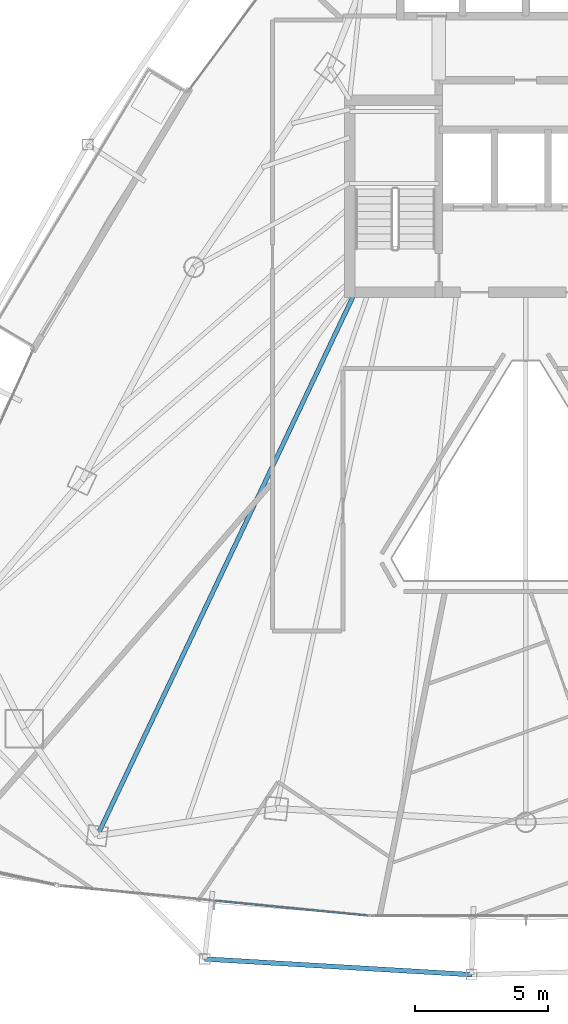
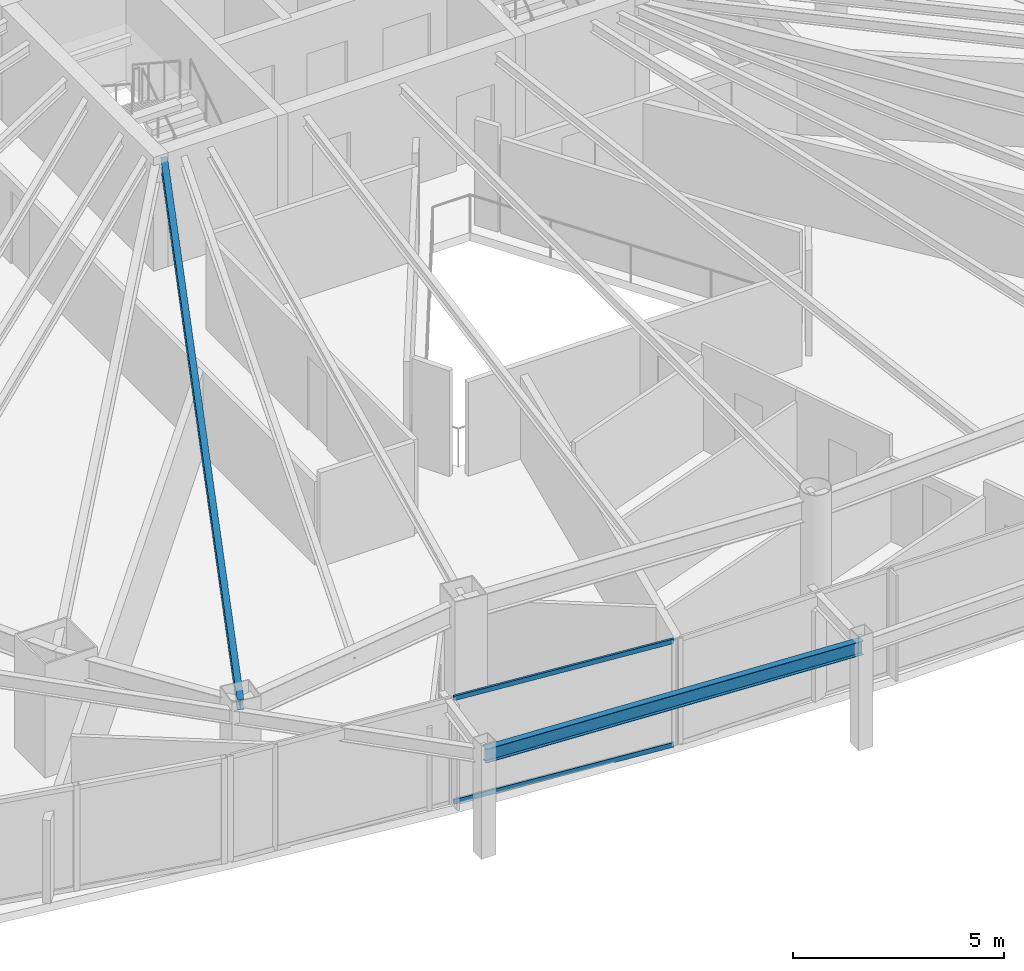
# One storey, part 6 of 30: 2 beams, 2 members, 1 element without a shape of its own.
"""IFC4 building model written with IfcOpenShell, lengths in metres."""

from ifc_helpers import new_model, si_unit, direction, frame, origin, origin_2d, place, context, subcontext, project, spatial, hollow_rectangle, i_section, extrude, material, layer, layer_set, material_profile, profile_set, type_object, element, aggregate, save


model = new_model("IFC4")

# Units and contexts
model_context = context("Model", 3, precision=1e-05, world=origin(), true_north=direction((0.0, 1.0)))
body_context = subcontext(model_context, "Body", "Model", "MODEL_VIEW")
ifc_project = project(units=[si_unit("LENGTHUNIT", "METRE"), si_unit("AREAUNIT", "SQUARE_METRE"), si_unit("VOLUMEUNIT", "CUBIC_METRE"), si_unit("PLANEANGLEUNIT", "RADIAN"), si_unit("MASSUNIT", "GRAM", prefix="KILO")], contexts=[model_context])

# Site, building, storey
site_placement = place(None, origin())
site = spatial("IfcSite", under=ifc_project, at=site_placement, CompositionType="ELEMENT")
building_placement = place(site_placement, origin())
building = spatial("IfcBuilding", under=site, at=building_placement, Name="Orvanel Arch Residences", CompositionType="ELEMENT")
storey_placement = place(building_placement, frame((0.0, 0.0, 139.699951171875)))
storey = spatial("IfcBuildingStorey", under=building, at=storey_placement, Name="L39", CompositionType="ELEMENT", Elevation=139.699951171875)

# Beams
ifc_material_1 = material(Name="Structural steel AS/NZS 3679.1 Grade 300 (300 MPa)", Category="steel")
ifc_material_profile_1 = material_profile(ifc_material_1, i_section(OverallWidth=0.1650390625, OverallDepth=0.303955078125, WebThickness=0.006103515625, FlangeThickness=0.01025390625, at=origin_2d()), Name="310UB40.4")
ifc_profile_set_1 = profile_set([ifc_material_profile_1], Name="Structural steel AS/NZS 3679.1 Grade 300 (300 MPa)")
beam_type_1 = type_object("IfcBeamType", Name="BJ-310UB", PredefinedType="JOIST", material=ifc_profile_set_1)
beam_1_placement = place(storey_placement, frame((26.60009765625, 26.699951171875, 2.907958984375), z_axis=(-0.428614365266, -0.903487534993, 0.0), x_axis=(0.903487534993, -0.428614365266, 0.0)))
element("IfcBeam", 1, at=beam_1_placement, inside=storey, type_object=beam_type_1, Name="L39 MSW Wing Floor Joist", PredefinedType="JOIST", context=body_context, shape_type="SweptSolid", body=[
    extrude(i_section(OverallWidth=0.1650390625, OverallDepth=0.303955078125, WebThickness=0.006103515625, FlangeThickness=0.01025390625, at=origin_2d()), origin(), (0.0, 0.0, 1.0), 22.535888671875),
])
ifc_material_profile_2 = material_profile(ifc_material_1, i_section(OverallWidth=0.177978515625, OverallDepth=0.406005859375, WebThickness=0.0078125, FlangeThickness=0.0126953125, at=origin_2d()), Name="410UB59.7")
ifc_profile_set_2 = profile_set([ifc_material_profile_2], Name="Structural steel AS/NZS 3679.1 Grade 300 (300 MPa)")
beam_type_2 = type_object("IfcBeamType", Name="OB-410UB-EXT", PredefinedType="SPANDREL", material=ifc_profile_set_2)
beam_2_placement = place(storey_placement, frame((20.964111328125, 1.719970703125, 2.85693359375), z_axis=(0.998277396455, -0.058670603599, 0.0), x_axis=(0.058670603599, 0.998277396455, 0.0)))
element("IfcBeam", 2, at=beam_2_placement, inside=storey, type_object=beam_type_2, Name="L39 Outer Perimeter Floor Ring Beam 05", PredefinedType="SPANDREL", context=body_context, shape_type="SweptSolid", body=[
    extrude(i_section(OverallWidth=0.177978515625, OverallDepth=0.406005859375, WebThickness=0.0078125, FlangeThickness=0.0126953125, at=origin_2d()), origin(), (0.0, 0.0, 1.0), 10.020263671875),
])

# Curtain wall, members
ifc_material_2 = material(Name="Bronze-anodised aluminium AA6063-T6", Category="aluminium")
ifc_layer = layer(ifc_material_2, 0.179931640625)
ifc_layer_set = layer_set([ifc_layer], Name="Bronze-anodised aluminium AA6063-T6")
curtain_wall_type = type_object("IfcCurtainWallType", Name="CW3-MID-SYS", PredefinedType="NOTDEFINED", material=ifc_layer_set)
curtain_wall_placement = place(storey_placement, origin())
curtain_wall = element("IfcCurtainWall", 3, at=curtain_wall_placement, inside=storey, type_object=curtain_wall_type, Name="L39 CW3-MID-SYS Unitised Curtain Wall", PredefinedType="NOTDEFINED")
ifc_material_profile_3 = material_profile(ifc_material_2, hollow_rectangle(XDim=0.06005859375, YDim=0.135009765625, WallThickness=0.00390625, at=origin_2d()), Name="ALU135x60x4")
ifc_profile_set_3 = profile_set([ifc_material_profile_3], Name="Bronze-anodised aluminium AA6063-T6")
member_type = type_object("IfcMemberType", Name="TRN-135x60", PredefinedType="USERDEFINED", material=ifc_profile_set_3)
member_1_placement = place(storey_placement, frame((21.372802734375, 3.899658203125, 0.030029296875), z_axis=(0.995321391239, -0.096619501871, 0.0), x_axis=(0.096619501871, 0.995321391239, 0.0)))
member_1 = element("IfcMember", 4, at=member_1_placement, type_object=member_type, Name="CW-S3 transom 2.1", ObjectType="TRANSOM", PredefinedType="USERDEFINED", context=body_context, shape_type="SweptSolid", body=[
    extrude(hollow_rectangle(XDim=0.06005859375, YDim=0.135009765625, WallThickness=0.00390625, at=origin_2d()), origin(), (0.0, 0.0, 1.0), 5.7333984375),
])
member_2_placement = place(storey_placement, frame((21.372802734375, 3.899658203125, 3.030029296875), z_axis=(0.995321391239, -0.096619501871, 0.0), x_axis=(0.096619501871, 0.995321391239, 0.0)))
member_2 = element("IfcMember", 5, at=member_2_placement, type_object=member_type, Name="CW-S3 transom 2.2", ObjectType="TRANSOM", PredefinedType="USERDEFINED", context=body_context, shape_type="SweptSolid", body=[
    extrude(hollow_rectangle(XDim=0.06005859375, YDim=0.135009765625, WallThickness=0.00390625, at=origin_2d()), origin(), (0.0, 0.0, 1.0), 5.7333984375),
])
aggregate(curtain_wall, [member_1, member_2])

save(model, "model.ifc")
